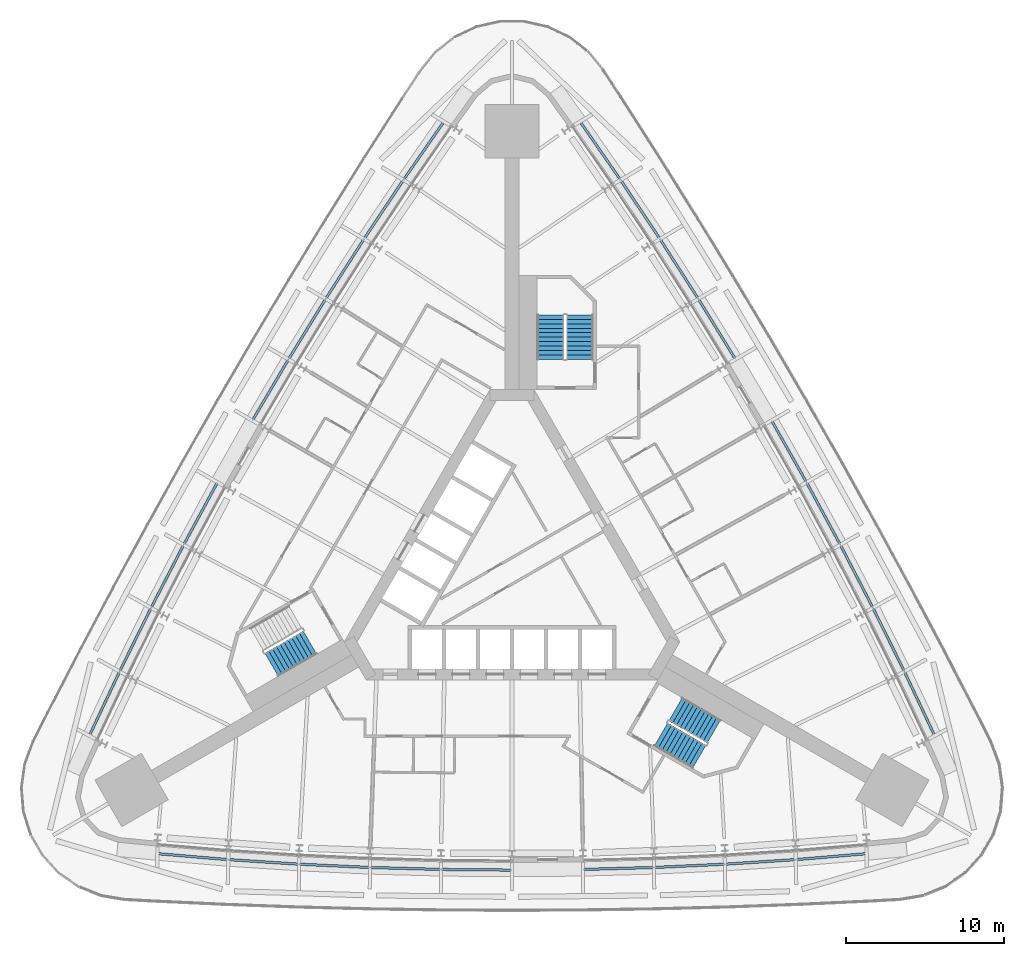
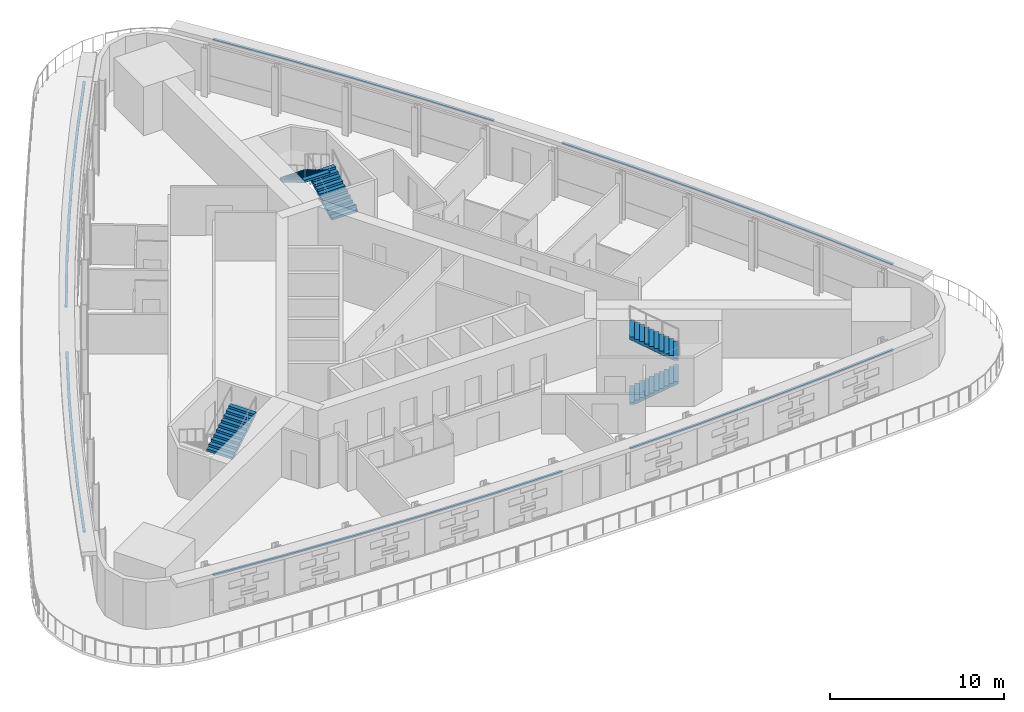
# One storey, part 10 of 14: 6 discrete accessories, 5 stair flights, 3 elements without a shape of their own.
"""IFC4 building model written with IfcOpenShell, lengths in metres."""

from ifc_helpers import new_model, si_unit, direction, frame, origin, place, context, subcontext, project, spatial, polyline, outline, extrude, material, type_object, element, aggregate, save


model = new_model("IFC4")

# Units and contexts
model_context = context("Model", 3, precision=1e-05, world=origin(), true_north=direction((0.0, 1.0)))
body_context = subcontext(model_context, "Body", "Model", "MODEL_VIEW")
ifc_project = project(units=[si_unit("LENGTHUNIT", "METRE"), si_unit("AREAUNIT", "SQUARE_METRE"), si_unit("VOLUMEUNIT", "CUBIC_METRE"), si_unit("PLANEANGLEUNIT", "RADIAN"), si_unit("MASSUNIT", "GRAM", prefix="KILO")], contexts=[model_context])

# Site, building, storey
site_placement = place(None, origin())
site = spatial("IfcSite", under=ifc_project, at=site_placement, CompositionType="ELEMENT")
building_placement = place(site_placement, origin())
building = spatial("IfcBuilding", under=site, at=building_placement, Name="Noor Cloister Tower", CompositionType="ELEMENT")
storey_placement = place(building_placement, frame((0.0, 0.0, 24.0)))
storey = spatial("IfcBuildingStorey", under=building, at=storey_placement, Name="L05", CompositionType="ELEMENT", Elevation=24.0)

# Stair, stair flights
ifc_material_1 = material(Name="Concrete C40/50", Category="concrete")
stair_type = type_object("IfcStairType", Name="Exit stair 22 risers", PredefinedType="HALF_TURN_STAIR", material=ifc_material_1)
stair_1_placement = place(storey_placement, origin())
stair_1 = element("IfcStair", 1, at=stair_1_placement, inside=storey, type_object=stair_type, Name="Exit stair ST1 L05", PredefinedType="HALF_TURN_STAIR")
ifc_material_2 = material(Name="Concrete C40/50", Category="concrete")
stair_flight_type = type_object("IfcStairFlightType", Name="Exit stair flight", PredefinedType="STRAIGHT", material=ifc_material_2)
stair_flight_1_placement = place(storey_placement, frame((4.28564453125, 13.3564453125, 0.0), z_axis=(0.0, 0.0, 1.0), x_axis=(0.0, 1.0, 0.0)))
stair_flight_1 = element("IfcStairFlight", 2, at=stair_flight_1_placement, type_object=stair_flight_type, Name="ST1 flight 1", NumberOfRisers=11, NumberOfTreads=10, PredefinedType="STRAIGHT", RiserHeight=0.163636364, TreadLength=0.28, context=body_context, shape_type="SweptSolid", body=[
    extrude(outline(polyline([(0.0, 0.0), (0.0, 0.16357421875), (0.280029296875, 0.16357421875), (0.280029296875, 0.327392578125), (0.56005859375, 0.327392578125), (0.56005859375, 0.490966796875), (0.840087890625, 0.490966796875), (0.840087890625, 0.654541015625), (1.1201171875, 0.654541015625), (1.1201171875, 0.818115234375), (1.39990234375, 0.818115234375), (1.39990234375, 0.98193359375), (1.679931640625, 0.98193359375), (1.679931640625, 1.1455078125), (1.9599609375, 1.1455078125), (1.9599609375, 1.30908203125), (2.239990234375, 1.30908203125), (2.239990234375, 1.47265625), (2.52001953125, 1.47265625), (2.52001953125, 1.636474609375), (2.800048828125, 1.636474609375), (2.800048828125, 1.800048828125), (2.800048828125, 1.462646484375), (0.297119140625, 0.0), (0.0, 0.0)])), frame((0.0, 0.85009765625, 0.0), z_axis=(0.0, -1.0, 0.0), x_axis=(1.0, 0.0, 0.0)), (0.0, 0.0, 1.0), 1.699951171875),
])
stair_flight_2_placement = place(storey_placement, frame((2.435546875, 16.156494140625, 1.800048828125), z_axis=(0.0, 0.0, 1.0), x_axis=(0.0, -1.0, 0.0)))
stair_flight_2 = element("IfcStairFlight", 3, at=stair_flight_2_placement, type_object=stair_flight_type, Name="ST1 flight 2", NumberOfRisers=11, NumberOfTreads=10, PredefinedType="STRAIGHT", RiserHeight=0.163636364, TreadLength=0.28, context=body_context, shape_type="SweptSolid", body=[
    extrude(outline(polyline([(0.0, 0.0), (0.0, 0.16357421875), (0.280029296875, 0.16357421875), (0.280029296875, 0.327392578125), (0.56005859375, 0.327392578125), (0.56005859375, 0.490966796875), (0.840087890625, 0.490966796875), (0.840087890625, 0.654541015625), (1.1201171875, 0.654541015625), (1.1201171875, 0.818115234375), (1.39990234375, 0.818115234375), (1.39990234375, 0.98193359375), (1.679931640625, 0.98193359375), (1.679931640625, 1.1455078125), (1.9599609375, 1.1455078125), (1.9599609375, 1.30908203125), (2.239990234375, 1.30908203125), (2.239990234375, 1.47265625), (2.52001953125, 1.47265625), (2.52001953125, 1.636474609375), (2.800048828125, 1.636474609375), (2.800048828125, 1.800048828125), (2.800048828125, 1.462646484375), (0.297119140625, 0.0), (0.0, 0.0)])), frame((0.0, 0.85009765625, 0.0), z_axis=(0.0, -1.0, 0.0), x_axis=(1.0, 0.0, 0.0)), (0.0, 0.0, 1.0), 1.699951171875),
])
aggregate(stair_1, [stair_flight_1, stair_flight_2])

# Stair, stair flight
stair_2_placement = place(storey_placement, origin())
stair_2 = element("IfcStair", 4, at=stair_2_placement, inside=storey, type_object=stair_type, Name="Exit stair ST2 L05", PredefinedType="HALF_TURN_STAIR")
stair_flight_3_placement = place(storey_placement, frame((-15.209716796875, -5.968994140625, 1.800048828125), z_axis=(0.0, 0.0, 1.0), x_axis=(0.866025403784, 0.5, 0.0)))
stair_flight_3 = element("IfcStairFlight", 5, at=stair_flight_3_placement, type_object=stair_flight_type, Name="ST2 flight 2", NumberOfRisers=11, NumberOfTreads=10, PredefinedType="STRAIGHT", RiserHeight=0.163636364, TreadLength=0.28, context=body_context, shape_type="SweptSolid", body=[
    extrude(outline(polyline([(0.0, 0.0), (0.0, 0.16357421875), (0.280029296875, 0.16357421875), (0.280029296875, 0.327392578125), (0.56005859375, 0.327392578125), (0.56005859375, 0.490966796875), (0.840087890625, 0.490966796875), (0.840087890625, 0.654541015625), (1.1201171875, 0.654541015625), (1.1201171875, 0.818115234375), (1.39990234375, 0.818115234375), (1.39990234375, 0.98193359375), (1.679931640625, 0.98193359375), (1.679931640625, 1.1455078125), (1.9599609375, 1.1455078125), (1.9599609375, 1.30908203125), (2.239990234375, 1.30908203125), (2.239990234375, 1.47265625), (2.52001953125, 1.47265625), (2.52001953125, 1.636474609375), (2.800048828125, 1.636474609375), (2.800048828125, 1.800048828125), (2.800048828125, 1.462646484375), (0.297119140625, 0.0), (0.0, 0.0)])), frame((0.0, 0.85009765625, 0.0), z_axis=(0.0, -1.0, 0.0), x_axis=(1.0, 0.0, 0.0)), (0.0, 0.0, 1.0), 1.699951171875),
])
aggregate(stair_2, [stair_flight_3])

# Stair, stair flights
stair_3_placement = place(storey_placement, origin())
stair_3 = element("IfcStair", 6, at=stair_3_placement, inside=storey, type_object=stair_type, Name="Exit stair ST3 L05", PredefinedType="HALF_TURN_STAIR")
stair_flight_4_placement = place(storey_placement, frame((9.424072265625, -10.3896484375, 0.0), z_axis=(0.0, 0.0, 1.0), x_axis=(0.866025403784, -0.5, 0.0)))
stair_flight_4 = element("IfcStairFlight", 7, at=stair_flight_4_placement, type_object=stair_flight_type, Name="ST3 flight 1", NumberOfRisers=11, NumberOfTreads=10, PredefinedType="STRAIGHT", RiserHeight=0.163636364, TreadLength=0.28, context=body_context, shape_type="SweptSolid", body=[
    extrude(outline(polyline([(0.0, 0.0), (0.0, 0.16357421875), (0.280029296875, 0.16357421875), (0.280029296875, 0.327392578125), (0.56005859375, 0.327392578125), (0.56005859375, 0.490966796875), (0.840087890625, 0.490966796875), (0.840087890625, 0.654541015625), (1.1201171875, 0.654541015625), (1.1201171875, 0.818115234375), (1.39990234375, 0.818115234375), (1.39990234375, 0.98193359375), (1.679931640625, 0.98193359375), (1.679931640625, 1.1455078125), (1.9599609375, 1.1455078125), (1.9599609375, 1.30908203125), (2.239990234375, 1.30908203125), (2.239990234375, 1.47265625), (2.52001953125, 1.47265625), (2.52001953125, 1.636474609375), (2.800048828125, 1.636474609375), (2.800048828125, 1.800048828125), (2.800048828125, 1.462646484375), (0.297119140625, 0.0), (0.0, 0.0)])), frame((0.0, 0.85009765625, 0.0), z_axis=(0.0, -1.0, 0.0), x_axis=(1.0, 0.0, 0.0)), (0.0, 0.0, 1.0), 1.699951171875),
])
stair_flight_5_placement = place(storey_placement, frame((12.77392578125, -10.1875, 1.800048828125), z_axis=(0.0, 0.0, 1.0), x_axis=(-0.866025403784, 0.5, 0.0)))
stair_flight_5 = element("IfcStairFlight", 8, at=stair_flight_5_placement, type_object=stair_flight_type, Name="ST3 flight 2", NumberOfRisers=11, NumberOfTreads=10, PredefinedType="STRAIGHT", RiserHeight=0.163636364, TreadLength=0.28, context=body_context, shape_type="SweptSolid", body=[
    extrude(outline(polyline([(0.0, 0.0), (0.0, 0.16357421875), (0.280029296875, 0.16357421875), (0.280029296875, 0.327392578125), (0.56005859375, 0.327392578125), (0.56005859375, 0.490966796875), (0.840087890625, 0.490966796875), (0.840087890625, 0.654541015625), (1.1201171875, 0.654541015625), (1.1201171875, 0.818115234375), (1.39990234375, 0.818115234375), (1.39990234375, 0.98193359375), (1.679931640625, 0.98193359375), (1.679931640625, 1.1455078125), (1.9599609375, 1.1455078125), (1.9599609375, 1.30908203125), (2.239990234375, 1.30908203125), (2.239990234375, 1.47265625), (2.52001953125, 1.47265625), (2.52001953125, 1.636474609375), (2.800048828125, 1.636474609375), (2.800048828125, 1.800048828125), (2.800048828125, 1.462646484375), (0.297119140625, 0.0), (0.0, 0.0)])), frame((0.0, 0.85009765625, 0.0), z_axis=(0.0, -1.0, 0.0), x_axis=(1.0, 0.0, 0.0)), (0.0, 0.0, 1.0), 1.699951171875),
])
aggregate(stair_3, [stair_flight_4, stair_flight_5])

# Discrete accessories
ifc_material_3 = material(Name="Stainless steel grade 316", Category="steel")
discrete_accessory_type = type_object("IfcDiscreteAccessoryType", Name="Stainless hanger rail", PredefinedType="BRACKET", material=ifc_material_3)
discrete_accessory_1_placement = place(storey_placement, frame((0.0, 0.0, 3.199951171875)))
element("IfcDiscreteAccessory", 9, at=discrete_accessory_1_placement, inside=storey, type_object=discrete_accessory_type, Name="Hanger rail L05", PredefinedType="BRACKET", context=body_context, shape_type="SweptSolid", body=[
    extrude(outline(polyline([(-4.329833984375, 28.497314453125), (-6.89990234375, 24.797119140625), (-9.40380859375, 21.045654296875), (-11.837646484375, 17.248291015625), (-14.20068359375, 13.406494140625), (-16.4892578125, 9.526123046875), (-16.351318359375, 9.44482421875), (-14.0634765625, 13.323974609375), (-11.7021484375, 17.163330078125), (-9.269775390625, 20.9580078125), (-6.767578125, 24.70703125), (-4.1982421875, 28.406005859375), (-4.329833984375, 28.497314453125)])), origin(), (0.0, 0.0, 1.0), 0.10009765625),
])
discrete_accessory_2_placement = place(storey_placement, frame((0.0, 0.0, 3.199951171875)))
element("IfcDiscreteAccessory", 10, at=discrete_accessory_2_placement, inside=storey, type_object=discrete_accessory_type, Name="Hanger rail L05", PredefinedType="BRACKET", context=body_context, shape_type="SweptSolid", body=[
    extrude(outline(polyline([(-18.713134765625, 5.59033203125), (-20.856201171875, 1.62744140625), (-22.927978515625, -2.37890625), (-24.9248046875, -6.423095703125), (-26.84423828125, -10.4990234375), (-26.699462890625, -10.567138671875), (-24.78076171875, -6.49267578125), (-22.78515625, -2.451171875), (-20.71484375, 1.552734375), (-18.572509765625, 5.51416015625), (-18.713134765625, 5.59033203125)])), origin(), (0.0, 0.0, 1.0), 0.10009765625),
])
discrete_accessory_3_placement = place(storey_placement, frame((0.0, 0.0, 3.199951171875)))
element("IfcDiscreteAccessory", 11, at=discrete_accessory_3_placement, inside=storey, type_object=discrete_accessory_type, Name="Hanger rail L05", PredefinedType="BRACKET", context=body_context, shape_type="SweptSolid", body=[
    extrude(outline(polyline([(-22.514404296875, -17.998291015625), (-18.02490234375, -18.3740234375), (-13.524169921875, -18.666748046875), (-9.018798828125, -18.875732421875), (-4.51025390625, -19.001220703125), (-0.005126953125, -19.043212890625), (-0.003662109375, -18.883056640625), (-4.507080078125, -18.84130859375), (-9.0126953125, -18.7158203125), (-13.515380859375, -18.5068359375), (-18.01318359375, -18.21435546875), (-22.501220703125, -17.8388671875), (-22.514404296875, -17.998291015625)])), origin(), (0.0, 0.0, 1.0), 0.10009765625),
])
discrete_accessory_4_placement = place(storey_placement, frame((0.0, 0.0, 3.199951171875)))
element("IfcDiscreteAccessory", 12, at=discrete_accessory_4_placement, inside=storey, type_object=discrete_accessory_type, Name="Hanger rail L05", PredefinedType="BRACKET", context=body_context, shape_type="SweptSolid", body=[
    extrude(outline(polyline([(4.515380859375, -19.001220703125), (9.018798828125, -18.875732421875), (13.524169921875, -18.666748046875), (18.02490234375, -18.3740234375), (22.514404296875, -17.998291015625), (22.501220703125, -17.8388671875), (18.01318359375, -18.21435546875), (13.515380859375, -18.5068359375), (9.0126953125, -18.7158203125), (4.510986328125, -18.84130859375), (4.515380859375, -19.001220703125)])), origin(), (0.0, 0.0, 1.0), 0.10009765625),
])
discrete_accessory_5_placement = place(storey_placement, frame((0.0, 0.0, 3.199951171875)))
element("IfcDiscreteAccessory", 13, at=discrete_accessory_5_placement, inside=storey, type_object=discrete_accessory_type, Name="Hanger rail L05", PredefinedType="BRACKET", context=body_context, shape_type="SweptSolid", body=[
    extrude(outline(polyline([(26.84423828125, -10.4990234375), (24.9248046875, -6.423095703125), (22.927978515625, -2.37890625), (20.856201171875, 1.62744140625), (18.710693359375, 5.5947265625), (16.494384765625, 9.51708984375), (16.355224609375, 9.4384765625), (18.57080078125, 5.517333984375), (20.71484375, 1.552734375), (22.78515625, -2.451171875), (24.78076171875, -6.49267578125), (26.699462890625, -10.567138671875), (26.84423828125, -10.4990234375)])), origin(), (0.0, 0.0, 1.0), 0.10009765625),
])
discrete_accessory_6_placement = place(storey_placement, frame((0.0, 0.0, 3.199951171875)))
element("IfcDiscreteAccessory", 14, at=discrete_accessory_6_placement, inside=storey, type_object=discrete_accessory_type, Name="Hanger rail L05", PredefinedType="BRACKET", context=body_context, shape_type="SweptSolid", body=[
    extrude(outline(polyline([(14.19775390625, 13.410888671875), (11.837646484375, 17.248291015625), (9.40380859375, 21.045654296875), (6.89990234375, 24.797119140625), (4.329833984375, 28.497314453125), (4.1982421875, 28.406005859375), (6.767578125, 24.70703125), (9.269775390625, 20.9580078125), (11.7021484375, 17.163330078125), (14.0615234375, 13.3271484375), (14.19775390625, 13.410888671875)])), origin(), (0.0, 0.0, 1.0), 0.10009765625),
])

save(model, "model.ifc")
